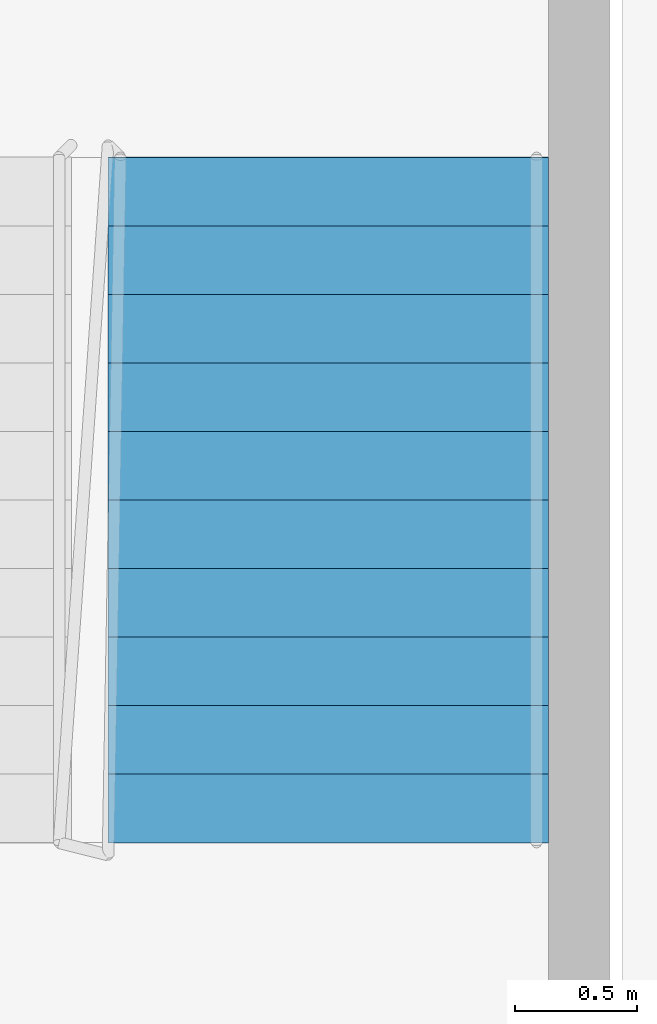
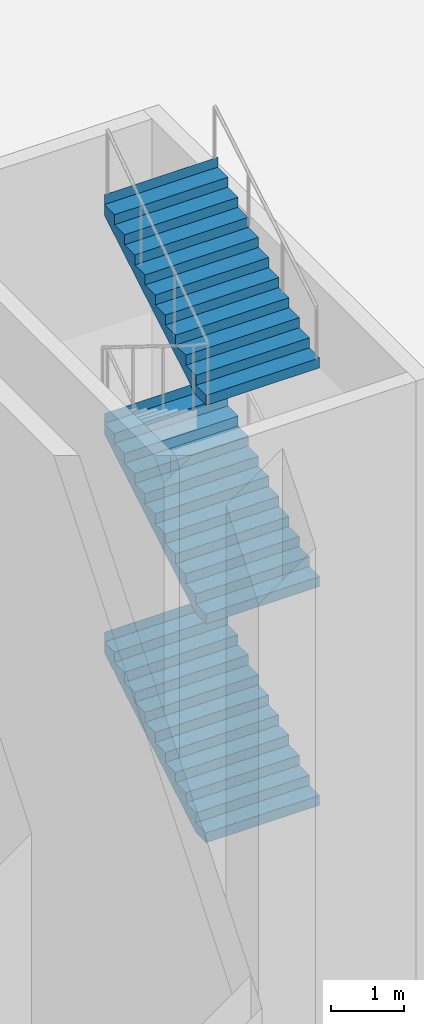
# One storey, part 21 of 26: 3 stair flights, 1 element without a shape of its own.
"""IFC4 building model written with IfcOpenShell, lengths in metres."""

import ifcopenshell
import ifcopenshell.guid

model = None  # the IFC model being written
_history = None  # IfcOwnerHistory: only IFC2X3 demands one
_inside = {}  # id of a spatial element -> (the spatial element, [elements in it])
_under = {}  # id of a project, library or spatial element -> (it, [spatial elements below it])
_declared = {}  # id of a project -> (the project, [libraries it declares])
_typed = {}  # id of a type object -> (the type object, [elements of that type])
_made_of = {}  # id of a material, layer set ... -> (it, [elements and type objects made of it])


def new_model(schema):
    """Start an empty IFC model of exactly this schema.

    Asked for "IFC4X3", IfcOpenShell would pick the latest addendum, in which some entities
    have other attributes; the version numbers below select the first issue.
    IFC2X3 requires an IfcOwnerHistory on every rooted entity: one is made here for all.
    """
    global model, _history
    if schema == "IFC4X3":
        model = ifcopenshell.file(schema_version=(4, 3, 0, 0))
    else:
        model = ifcopenshell.file(schema=schema)
    _inside.clear()
    _under.clear()
    _declared.clear()
    _typed.clear()
    _made_of.clear()
    _history = None
    if model.schema == "IFC2X3":
        org = make("IfcOrganization", Name="unknown")
        user = make(
            "IfcPersonAndOrganization",
            ThePerson=make("IfcPerson", FamilyName="unknown"),
            TheOrganization=org,
        )
        app = make(
            "IfcApplication",
            ApplicationDeveloper=org,
            Version="unknown",
            ApplicationFullName="unknown",
            ApplicationIdentifier="unknown",
        )
        _history = make(
            "IfcOwnerHistory",
            OwningUser=user,
            OwningApplication=app,
            ChangeAction="ADDED",
            CreationDate=0,
        )
    return model


def make(cls, **values):
    """One entity of the class cls with the attributes given. An attribute that is None is left unset."""
    return model.create_entity(
        cls, **{name: value for name, value in values.items() if value is not None}
    )


def rooted(cls, **values):
    """An entity with a GlobalId (a new one), such as an element, a storey or a relation."""
    return make(cls, GlobalId=ifcopenshell.guid.new(), OwnerHistory=_history, **values)


def si_unit(unit_type, name, prefix=None):
    """IfcSIUnit, for example si_unit("LENGTHUNIT", "METRE", prefix="MILLI")."""
    return make("IfcSIUnit", UnitType=unit_type, Prefix=prefix, Name=name)


def assignment(units):
    """IfcUnitAssignment: the units of a project."""
    return None if units is None else make("IfcUnitAssignment", Units=units)


def point(xyz):
    """IfcCartesianPoint."""
    return None if xyz is None else make("IfcCartesianPoint", Coordinates=xyz)


def direction(xyz):
    """IfcDirection."""
    return None if xyz is None else make("IfcDirection", DirectionRatios=xyz)


def frame(location, z_axis=None, x_axis=None):
    """IfcAxis2Placement3D, a coordinate frame: its origin and axes. An axis left out is left unset."""
    return make(
        "IfcAxis2Placement3D",
        Location=point(location),
        Axis=direction(z_axis),
        RefDirection=direction(x_axis),
    )


def origin():
    """The frame at (0, 0, 0) with its axes left unset."""
    return frame((0.0, 0.0, 0.0))


def place(relative_to, where):
    """IfcLocalPlacement: puts the frame where relative to a parent placement (None: the world)."""
    return make(
        "IfcLocalPlacement", PlacementRelTo=relative_to, RelativePlacement=where
    )


def context(
    kind, dimensions, precision=None, world=None, true_north=None, identifier=None
):
    """IfcGeometricRepresentationContext, for example the 3D "Model" context."""
    return make(
        "IfcGeometricRepresentationContext",
        ContextIdentifier=identifier,
        ContextType=kind,
        CoordinateSpaceDimension=dimensions,
        Precision=precision,
        WorldCoordinateSystem=world,
        TrueNorth=true_north,
    )


def subcontext(parent, identifier, kind, view, scale=None):
    """IfcGeometricRepresentationSubContext, for example "Body" below "Model"."""
    return make(
        "IfcGeometricRepresentationSubContext",
        ContextIdentifier=identifier,
        ContextType=kind,
        ParentContext=parent,
        TargetScale=scale,
        TargetView=view,
    )


def project(units=None, contexts=None):
    """IfcProject with its units and contexts."""
    return rooted(
        "IfcProject",
        Name="project",
        RepresentationContexts=contexts,
        UnitsInContext=assignment(units),
    )


def spatial(cls, under=None, at=None, **own):
    """A site, building, storey or space (cls), placed at a placement, below another one or the project."""
    s = rooted(cls, ObjectPlacement=at, **own)
    if under is not None:
        _under.setdefault(under.id(), (under, []))[1].append(s)
    return s


def faces_of(points, faces, orient=None, outer=None):
    """IfcFace entities. A face is a list of loops; a loop is a list of indices into points, from 0.

    orient and outer hold one flag for each loop. By default every Orientation is true, the
    first loop of a face is its IfcFaceOuterBound and the others are IfcFaceBound.
    """
    made = []
    for i, loops in enumerate(faces):
        bounds = []
        for j, loop in enumerate(loops):
            is_outer = j == 0 if outer is None else outer[i][j]
            bounds.append(
                make(
                    "IfcFaceOuterBound" if is_outer else "IfcFaceBound",
                    Bound=make("IfcPolyLoop", Polygon=[points[k] for k in loop]),
                    Orientation=True if orient is None else orient[i][j],
                )
            )
        made.append(make("IfcFace", Bounds=bounds))
    return made


def faceted_brep(points, faces, orient=None, outer=None, voids=None):
    """IfcFacetedBrep: a solid bounded by flat faces; with voids (closed shells), ...WithVoids."""
    shared = [point(p) for p in points]
    hull = make("IfcClosedShell", CfsFaces=faces_of(shared, faces, orient, outer))
    if voids is None:
        return make("IfcFacetedBrep", Outer=hull)
    return make(
        "IfcFacetedBrepWithVoids",
        Outer=hull,
        Voids=[
            make(cls, CfsFaces=faces_of(shared, fs, o, b)) for cls, fs, o, b in voids
        ],
    )


def shape(context_of_items, identifier, shape_type, items):
    """IfcShapeRepresentation: the items that make up one representation, for example the "Body"."""
    return make(
        "IfcShapeRepresentation",
        ContextOfItems=context_of_items,
        RepresentationIdentifier=identifier,
        RepresentationType=shape_type,
        Items=items,
    )


def material(Name=None, Category=None):
    """IfcMaterial."""
    return make("IfcMaterial", Name=Name, Category=Category)


def made_of(thing, what):
    """Note that an element or type object is made of a material, layer set ...; save() writes the relation."""
    if what is not None:
        _made_of.setdefault(what.id(), (what, []))[1].append(thing)
    return thing


def type_object(cls, material=None, **own):
    """A type object (cls), such as IfcWallType, which elements share."""
    return made_of(rooted(cls, **own), material)


def element(
    cls,
    number,
    at=None,
    inside=None,
    cuts=None,
    type_object=None,
    material=None,
    context=None,
    identifier="Body",
    shape_type=None,
    held_by="IfcProductDefinitionShape",
    body=None,
    shapes=None,
    **own,
):
    """One element of the class cls, such as IfcWall. Its Tag is "e" and its number.

    at: its placement. inside: the storey or other place that contains it. cuts: it is an
    opening in that element (IfcRelVoidsElement). A single representation is given by context,
    identifier, shape_type and body (its items); several are given by shapes. held_by: the class
    of the entity that holds the representations. save() writes the other relations.
    """
    e = rooted(cls, Tag="e%d" % number, ObjectPlacement=at, **own)
    if body is not None:
        shapes = [shape(context, identifier, shape_type, body)]
    if shapes is not None:
        e.Representation = make(held_by, Representations=shapes)
    if inside is not None:
        _inside.setdefault(inside.id(), (inside, []))[1].append(e)
    if cuts is not None:
        rooted(
            "IfcRelVoidsElement", RelatingBuildingElement=cuts, RelatedOpeningElement=e
        )
    if type_object is not None:
        _typed.setdefault(type_object.id(), (type_object, []))[1].append(e)
    return made_of(e, material)


def aggregate(whole, parts):
    """IfcRelAggregates: a whole, such as a stair, and the parts it consists of."""
    return rooted("IfcRelAggregates", RelatingObject=whole, RelatedObjects=parts)


def save(model, path):
    """Write the relations noted so far, then the file.

    IfcRelAggregates (storeys below a building ...), IfcRelContainedInSpatialStructure (elements
    in a storey), IfcRelDefinesByType, IfcRelAssociatesMaterial and IfcRelDeclares: one each for
    every whole, place, type object, material and project.
    """
    for whole, parts in _under.values():
        aggregate(whole, parts)
    for where, things in _inside.values():
        rooted(
            "IfcRelContainedInSpatialStructure",
            RelatedElements=things,
            RelatingStructure=where,
        )
    for kind, things in _typed.values():
        rooted("IfcRelDefinesByType", RelatedObjects=things, RelatingType=kind)
    for what, things in _made_of.values():
        rooted("IfcRelAssociatesMaterial", RelatedObjects=things, RelatingMaterial=what)
    for by, libraries in _declared.values():
        rooted("IfcRelDeclares", RelatingContext=by, RelatedDefinitions=libraries)
    model.write(path)


model = new_model("IFC4")

# Units and contexts
model_context = context("Model", 3, precision=1e-05, world=origin(), true_north=direction((0.0, 1.0)))
body_context = subcontext(model_context, "Body", "Model", "MODEL_VIEW")
ifc_project = project(units=[si_unit("LENGTHUNIT", "METRE"), si_unit("AREAUNIT", "SQUARE_METRE"), si_unit("VOLUMEUNIT", "CUBIC_METRE"), si_unit("PLANEANGLEUNIT", "RADIAN"), si_unit("MASSUNIT", "GRAM", prefix="KILO")], contexts=[model_context])

# Site, building, storey
site_placement = place(None, origin())
site = spatial("IfcSite", under=ifc_project, at=site_placement, CompositionType="ELEMENT")
building_placement = place(site_placement, origin())
building = spatial("IfcBuilding", under=site, at=building_placement, Name="Kajstack Hotel Tower", CompositionType="ELEMENT")
storey_placement = place(building_placement, origin())
storey = spatial("IfcBuildingStorey", under=building, at=storey_placement, Name="L00", CompositionType="ELEMENT", Elevation=0.0)

# Stair, stair flights
ifc_material = material(Name="Concrete C40/50", Category="concrete")
stair_type = type_object("IfcStairType", Name="Escape stair 1800", PredefinedType="HALF_TURN_STAIR", material=ifc_material)
stair_placement = place(storey_placement, origin())
stair = element("IfcStair", 1, at=stair_placement, inside=storey, type_object=stair_type, Name="L00 stair P2", PredefinedType="HALF_TURN_STAIR")
stair_flight_type = type_object("IfcStairFlightType", Name="Escape stair flight 1800", PredefinedType="STRAIGHT", material=ifc_material)
stair_flight_1_placement = place(storey_placement, frame((42.5, -6.60009765625, 1.833251953125), z_axis=(0.0, 0.0, 1.0), x_axis=(0.0, 1.0, 0.0)))
stair_flight_1 = element("IfcStairFlight", 2, at=stair_flight_1_placement, type_object=stair_flight_type, Name="P2 flight 2", NumberOfRisers=11, NumberOfTreads=10, PredefinedType="STRAIGHT", RiserHeight=0.166666667, TreadLength=0.28, context=body_context, shape_type="Brep", body=[
    faceted_brep([(0.29345703125, -0.89990234375, 0.0), (2.800537109375, -0.89990234375, 1.4921875), (2.800537109375, -0.89990234375, 1.833251953125), (2.800048828125, -0.89990234375, 1.833251953125), (2.800048828125, -0.89990234375, 1.666748046875), (2.52001953125, -0.89990234375, 1.666748046875), (2.52001953125, -0.89990234375, 1.5), (2.239990234375, -0.89990234375, 1.5), (2.239990234375, -0.89990234375, 1.333251953125), (1.9599609375, -0.89990234375, 1.333251953125), (1.9599609375, -0.89990234375, 1.166748046875), (1.679931640625, -0.89990234375, 1.166748046875), (1.679931640625, -0.89990234375, 1.0), (1.39990234375, -0.89990234375, 1.0), (1.39990234375, -0.89990234375, 0.833251953125), (1.1201171875, -0.89990234375, 0.833251953125), (1.1201171875, -0.89990234375, 0.666748046875), (0.840087890625, -0.89990234375, 0.666748046875), (0.840087890625, -0.89990234375, 0.5), (0.56005859375, -0.89990234375, 0.5), (0.56005859375, -0.89990234375, 0.333251953125), (0.280029296875, -0.89990234375, 0.333251953125), (0.280029296875, -0.89990234375, 0.166748046875), (-0.00048828125, -0.89990234375, 0.166748046875), (-0.00048828125, -0.89990234375, 0.0), (-0.00048828125, 0.89990234375, 0.0), (-0.00048828125, 0.89990234375, 0.166748046875), (0.280029296875, 0.89990234375, 0.166748046875), (0.280029296875, 0.89990234375, 0.333251953125), (0.56005859375, 0.89990234375, 0.333251953125), (0.56005859375, 0.89990234375, 0.5), (0.840087890625, 0.89990234375, 0.5), (0.840087890625, 0.89990234375, 0.666748046875), (1.1201171875, 0.89990234375, 0.666748046875), (1.1201171875, 0.89990234375, 0.833251953125), (1.39990234375, 0.89990234375, 0.833251953125), (1.39990234375, 0.89990234375, 1.0), (1.679931640625, 0.89990234375, 1.0), (1.679931640625, 0.89990234375, 1.166748046875), (1.9599609375, 0.89990234375, 1.166748046875), (1.9599609375, 0.89990234375, 1.333251953125), (2.239990234375, 0.89990234375, 1.333251953125), (2.239990234375, 0.89990234375, 1.5), (2.52001953125, 0.89990234375, 1.5), (2.52001953125, 0.89990234375, 1.666748046875), (2.800048828125, 0.89990234375, 1.666748046875), (2.800048828125, 0.89990234375, 1.833251953125), (2.800537109375, 0.89990234375, 1.833251953125), (2.800537109375, 0.89990234375, 1.4921875), (0.29345703125, 0.89990234375, 0.0), (-0.00048828125, -0.449951171875, 0.166748046875), (-0.00048828125, 0.0, 0.166748046875), (-0.00048828125, 0.449951171875, 0.166748046875), (-0.00048828125, 0.449951171875, 0.0), (-0.00048828125, 0.0, 0.0), (-0.00048828125, -0.449951171875, 0.0), (0.280029296875, -0.449951171875, 0.166748046875), (0.280029296875, 0.0, 0.166748046875), (0.280029296875, 0.449951171875, 0.166748046875), (0.280029296875, -0.449951171875, 0.333251953125), (0.280029296875, 0.0, 0.333251953125), (0.280029296875, 0.449951171875, 0.333251953125), (0.56005859375, -0.449951171875, 0.333251953125), (0.56005859375, 0.0, 0.333251953125), (0.56005859375, 0.449951171875, 0.333251953125), (0.56005859375, -0.449951171875, 0.5), (0.56005859375, 0.0, 0.5), (0.56005859375, 0.449951171875, 0.5), (0.840087890625, -0.449951171875, 0.5), (0.840087890625, 0.0, 0.5), (0.840087890625, 0.449951171875, 0.5), (0.840087890625, -0.449951171875, 0.666748046875), (0.840087890625, 0.0, 0.666748046875), (0.840087890625, 0.449951171875, 0.666748046875), (1.1201171875, -0.449951171875, 0.666748046875), (1.1201171875, 0.0, 0.666748046875), (1.1201171875, 0.449951171875, 0.666748046875), (1.1201171875, -0.449951171875, 0.833251953125), (1.1201171875, 0.0, 0.833251953125), (1.1201171875, 0.449951171875, 0.833251953125), (1.39990234375, -0.449951171875, 0.833251953125), (1.39990234375, 0.0, 0.833251953125), (1.39990234375, 0.449951171875, 0.833251953125), (1.39990234375, -0.449951171875, 1.0), (1.39990234375, 0.0, 1.0), (1.39990234375, 0.449951171875, 1.0), (1.679931640625, -0.449951171875, 1.0), (1.679931640625, 0.0, 1.0), (1.679931640625, 0.449951171875, 1.0), (1.679931640625, -0.449951171875, 1.166748046875), (1.679931640625, 0.0, 1.166748046875), (1.679931640625, 0.449951171875, 1.166748046875), (1.9599609375, -0.449951171875, 1.166748046875), (1.9599609375, 0.0, 1.166748046875), (1.9599609375, 0.449951171875, 1.166748046875), (1.9599609375, -0.449951171875, 1.333251953125), (1.9599609375, 0.0, 1.333251953125), (1.9599609375, 0.449951171875, 1.333251953125), (2.239990234375, -0.449951171875, 1.333251953125), (2.239990234375, 0.0, 1.333251953125), (2.239990234375, 0.449951171875, 1.333251953125), (2.239990234375, -0.449951171875, 1.5), (2.239990234375, 0.0, 1.5), (2.239990234375, 0.449951171875, 1.5), (2.52001953125, -0.449951171875, 1.5), (2.52001953125, 0.0, 1.5), (2.52001953125, 0.449951171875, 1.5), (2.52001953125, -0.449951171875, 1.666748046875), (2.52001953125, 0.0, 1.666748046875), (2.52001953125, 0.449951171875, 1.666748046875), (2.800048828125, -0.449951171875, 1.666748046875), (2.800048828125, 0.0, 1.666748046875), (2.800048828125, 0.449951171875, 1.666748046875), (2.800048828125, -0.449951171875, 1.833251953125), (2.800048828125, 0.0, 1.833251953125), (2.800048828125, 0.449951171875, 1.833251953125), (2.800537109375, -0.449951171875, 1.833251953125), (2.800537109375, 0.0, 1.833251953125), (2.800537109375, 0.449951171875, 1.833251953125), (2.800537109375, -0.449951171875, 1.4921875), (2.800537109375, 0.0, 1.4921875), (2.800537109375, 0.449951171875, 1.4921875), (0.29345703125, -0.449951171875, 0.0), (0.29345703125, 0.0, 0.0), (0.29345703125, 0.449951171875, 0.0)], [[[0, 1, 2, 3, 4, 5, 6, 7, 8, 9, 10, 11, 12, 13, 14, 15, 16, 17, 18, 19, 20, 21, 22, 23, 24]], [[25, 26, 27, 28, 29, 30, 31, 32, 33, 34, 35, 36, 37, 38, 39, 40, 41, 42, 43, 44, 45, 46, 47, 48, 49]], [[23, 50, 51, 52, 26, 25, 53, 54, 55, 24]], [[22, 56, 57, 58, 27, 26, 52, 51, 50, 23]], [[21, 59, 60, 61, 28, 27, 58, 57, 56, 22]], [[20, 62, 63, 64, 29, 28, 61, 60, 59, 21]], [[19, 65, 66, 67, 30, 29, 64, 63, 62, 20]], [[18, 68, 69, 70, 31, 30, 67, 66, 65, 19]], [[17, 71, 72, 73, 32, 31, 70, 69, 68, 18]], [[16, 74, 75, 76, 33, 32, 73, 72, 71, 17]], [[15, 77, 78, 79, 34, 33, 76, 75, 74, 16]], [[14, 80, 81, 82, 35, 34, 79, 78, 77, 15]], [[13, 83, 84, 85, 36, 35, 82, 81, 80, 14]], [[12, 86, 87, 88, 37, 36, 85, 84, 83, 13]], [[11, 89, 90, 91, 38, 37, 88, 87, 86, 12]], [[10, 92, 93, 94, 39, 38, 91, 90, 89, 11]], [[9, 95, 96, 97, 40, 39, 94, 93, 92, 10]], [[8, 98, 99, 100, 41, 40, 97, 96, 95, 9]], [[7, 101, 102, 103, 42, 41, 100, 99, 98, 8]], [[6, 104, 105, 106, 43, 42, 103, 102, 101, 7]], [[5, 107, 108, 109, 44, 43, 106, 105, 104, 6]], [[4, 110, 111, 112, 45, 44, 109, 108, 107, 5]], [[3, 113, 114, 115, 46, 45, 112, 111, 110, 4]], [[2, 116, 117, 118, 47, 46, 115, 114, 113, 3]], [[1, 119, 120, 121, 48, 47, 118, 117, 116, 2]], [[0, 122, 123, 124, 49, 48, 121, 120, 119, 1]], [[24, 55, 54, 53, 25, 49, 124, 123, 122, 0]]]),
])
stair_flight_2_placement = place(storey_placement, frame((42.5, -6.60009765625, 5.5), z_axis=(0.0, 0.0, 1.0), x_axis=(0.0, 1.0, 0.0)))
stair_flight_2 = element("IfcStairFlight", 3, at=stair_flight_2_placement, type_object=stair_flight_type, Name="P2 flight 4", NumberOfRisers=11, NumberOfTreads=10, PredefinedType="STRAIGHT", RiserHeight=0.166666667, TreadLength=0.28, context=body_context, shape_type="Brep", body=[
    faceted_brep([(0.29345703125, -0.89990234375, 0.0), (2.800537109375, -0.89990234375, 1.4921875), (2.800537109375, -0.89990234375, 1.833251953125), (2.800048828125, -0.89990234375, 1.833251953125), (2.800048828125, -0.89990234375, 1.666748046875), (2.52001953125, -0.89990234375, 1.666748046875), (2.52001953125, -0.89990234375, 1.5), (2.239990234375, -0.89990234375, 1.5), (2.239990234375, -0.89990234375, 1.333251953125), (1.9599609375, -0.89990234375, 1.333251953125), (1.9599609375, -0.89990234375, 1.166748046875), (1.679931640625, -0.89990234375, 1.166748046875), (1.679931640625, -0.89990234375, 1.0), (1.39990234375, -0.89990234375, 1.0), (1.39990234375, -0.89990234375, 0.833251953125), (1.1201171875, -0.89990234375, 0.833251953125), (1.1201171875, -0.89990234375, 0.666748046875), (0.840087890625, -0.89990234375, 0.666748046875), (0.840087890625, -0.89990234375, 0.5), (0.56005859375, -0.89990234375, 0.5), (0.56005859375, -0.89990234375, 0.333251953125), (0.280029296875, -0.89990234375, 0.333251953125), (0.280029296875, -0.89990234375, 0.166748046875), (-0.00048828125, -0.89990234375, 0.166748046875), (-0.00048828125, -0.89990234375, 0.0), (-0.00048828125, 0.89990234375, 0.0), (-0.00048828125, 0.89990234375, 0.166748046875), (0.280029296875, 0.89990234375, 0.166748046875), (0.280029296875, 0.89990234375, 0.333251953125), (0.56005859375, 0.89990234375, 0.333251953125), (0.56005859375, 0.89990234375, 0.5), (0.840087890625, 0.89990234375, 0.5), (0.840087890625, 0.89990234375, 0.666748046875), (1.1201171875, 0.89990234375, 0.666748046875), (1.1201171875, 0.89990234375, 0.833251953125), (1.39990234375, 0.89990234375, 0.833251953125), (1.39990234375, 0.89990234375, 1.0), (1.679931640625, 0.89990234375, 1.0), (1.679931640625, 0.89990234375, 1.166748046875), (1.9599609375, 0.89990234375, 1.166748046875), (1.9599609375, 0.89990234375, 1.333251953125), (2.239990234375, 0.89990234375, 1.333251953125), (2.239990234375, 0.89990234375, 1.5), (2.52001953125, 0.89990234375, 1.5), (2.52001953125, 0.89990234375, 1.666748046875), (2.800048828125, 0.89990234375, 1.666748046875), (2.800048828125, 0.89990234375, 1.833251953125), (2.800537109375, 0.89990234375, 1.833251953125), (2.800537109375, 0.89990234375, 1.4921875), (0.29345703125, 0.89990234375, 0.0), (-0.00048828125, -0.449951171875, 0.166748046875), (-0.00048828125, 0.0, 0.166748046875), (-0.00048828125, 0.449951171875, 0.166748046875), (-0.00048828125, 0.449951171875, 0.0), (-0.00048828125, 0.0, 0.0), (-0.00048828125, -0.449951171875, 0.0), (0.280029296875, -0.449951171875, 0.166748046875), (0.280029296875, 0.0, 0.166748046875), (0.280029296875, 0.449951171875, 0.166748046875), (0.280029296875, -0.449951171875, 0.333251953125), (0.280029296875, 0.0, 0.333251953125), (0.280029296875, 0.449951171875, 0.333251953125), (0.56005859375, -0.449951171875, 0.333251953125), (0.56005859375, 0.0, 0.333251953125), (0.56005859375, 0.449951171875, 0.333251953125), (0.56005859375, -0.449951171875, 0.5), (0.56005859375, 0.0, 0.5), (0.56005859375, 0.449951171875, 0.5), (0.840087890625, -0.449951171875, 0.5), (0.840087890625, 0.0, 0.5), (0.840087890625, 0.449951171875, 0.5), (0.840087890625, -0.449951171875, 0.666748046875), (0.840087890625, 0.0, 0.666748046875), (0.840087890625, 0.449951171875, 0.666748046875), (1.1201171875, -0.449951171875, 0.666748046875), (1.1201171875, 0.0, 0.666748046875), (1.1201171875, 0.449951171875, 0.666748046875), (1.1201171875, -0.449951171875, 0.833251953125), (1.1201171875, 0.0, 0.833251953125), (1.1201171875, 0.449951171875, 0.833251953125), (1.39990234375, -0.449951171875, 0.833251953125), (1.39990234375, 0.0, 0.833251953125), (1.39990234375, 0.449951171875, 0.833251953125), (1.39990234375, -0.449951171875, 1.0), (1.39990234375, 0.0, 1.0), (1.39990234375, 0.449951171875, 1.0), (1.679931640625, -0.449951171875, 1.0), (1.679931640625, 0.0, 1.0), (1.679931640625, 0.449951171875, 1.0), (1.679931640625, -0.449951171875, 1.166748046875), (1.679931640625, 0.0, 1.166748046875), (1.679931640625, 0.449951171875, 1.166748046875), (1.9599609375, -0.449951171875, 1.166748046875), (1.9599609375, 0.0, 1.166748046875), (1.9599609375, 0.449951171875, 1.166748046875), (1.9599609375, -0.449951171875, 1.333251953125), (1.9599609375, 0.0, 1.333251953125), (1.9599609375, 0.449951171875, 1.333251953125), (2.239990234375, -0.449951171875, 1.333251953125), (2.239990234375, 0.0, 1.333251953125), (2.239990234375, 0.449951171875, 1.333251953125), (2.239990234375, -0.449951171875, 1.5), (2.239990234375, 0.0, 1.5), (2.239990234375, 0.449951171875, 1.5), (2.52001953125, -0.449951171875, 1.5), (2.52001953125, 0.0, 1.5), (2.52001953125, 0.449951171875, 1.5), (2.52001953125, -0.449951171875, 1.666748046875), (2.52001953125, 0.0, 1.666748046875), (2.52001953125, 0.449951171875, 1.666748046875), (2.800048828125, -0.449951171875, 1.666748046875), (2.800048828125, 0.0, 1.666748046875), (2.800048828125, 0.449951171875, 1.666748046875), (2.800048828125, -0.449951171875, 1.833251953125), (2.800048828125, 0.0, 1.833251953125), (2.800048828125, 0.449951171875, 1.833251953125), (2.800537109375, -0.449951171875, 1.833251953125), (2.800537109375, 0.0, 1.833251953125), (2.800537109375, 0.449951171875, 1.833251953125), (2.800537109375, -0.449951171875, 1.4921875), (2.800537109375, 0.0, 1.4921875), (2.800537109375, 0.449951171875, 1.4921875), (0.29345703125, -0.449951171875, 0.0), (0.29345703125, 0.0, 0.0), (0.29345703125, 0.449951171875, 0.0)], [[[0, 1, 2, 3, 4, 5, 6, 7, 8, 9, 10, 11, 12, 13, 14, 15, 16, 17, 18, 19, 20, 21, 22, 23, 24]], [[25, 26, 27, 28, 29, 30, 31, 32, 33, 34, 35, 36, 37, 38, 39, 40, 41, 42, 43, 44, 45, 46, 47, 48, 49]], [[23, 50, 51, 52, 26, 25, 53, 54, 55, 24]], [[22, 56, 57, 58, 27, 26, 52, 51, 50, 23]], [[21, 59, 60, 61, 28, 27, 58, 57, 56, 22]], [[20, 62, 63, 64, 29, 28, 61, 60, 59, 21]], [[19, 65, 66, 67, 30, 29, 64, 63, 62, 20]], [[18, 68, 69, 70, 31, 30, 67, 66, 65, 19]], [[17, 71, 72, 73, 32, 31, 70, 69, 68, 18]], [[16, 74, 75, 76, 33, 32, 73, 72, 71, 17]], [[15, 77, 78, 79, 34, 33, 76, 75, 74, 16]], [[14, 80, 81, 82, 35, 34, 79, 78, 77, 15]], [[13, 83, 84, 85, 36, 35, 82, 81, 80, 14]], [[12, 86, 87, 88, 37, 36, 85, 84, 83, 13]], [[11, 89, 90, 91, 38, 37, 88, 87, 86, 12]], [[10, 92, 93, 94, 39, 38, 91, 90, 89, 11]], [[9, 95, 96, 97, 40, 39, 94, 93, 92, 10]], [[8, 98, 99, 100, 41, 40, 97, 96, 95, 9]], [[7, 101, 102, 103, 42, 41, 100, 99, 98, 8]], [[6, 104, 105, 106, 43, 42, 103, 102, 101, 7]], [[5, 107, 108, 109, 44, 43, 106, 105, 104, 6]], [[4, 110, 111, 112, 45, 44, 109, 108, 107, 5]], [[3, 113, 114, 115, 46, 45, 112, 111, 110, 4]], [[2, 116, 117, 118, 47, 46, 115, 114, 113, 3]], [[1, 119, 120, 121, 48, 47, 118, 117, 116, 2]], [[0, 122, 123, 124, 49, 48, 121, 120, 119, 1]], [[24, 55, 54, 53, 25, 49, 124, 123, 122, 0]]]),
])
stair_flight_3_placement = place(storey_placement, frame((42.5, -6.60009765625, 9.166748046875), z_axis=(0.0, 0.0, 1.0), x_axis=(0.0, 1.0, 0.0)))
stair_flight_3 = element("IfcStairFlight", 4, at=stair_flight_3_placement, type_object=stair_flight_type, Name="P2 flight 6", NumberOfRisers=11, NumberOfTreads=10, PredefinedType="STRAIGHT", RiserHeight=0.166666667, TreadLength=0.28, context=body_context, shape_type="Brep", body=[
    faceted_brep([(0.29345703125, -0.89990234375, 0.0), (2.800537109375, -0.89990234375, 1.4921875), (2.800537109375, -0.89990234375, 1.833251953125), (2.800048828125, -0.89990234375, 1.833251953125), (2.800048828125, -0.89990234375, 1.666748046875), (2.52001953125, -0.89990234375, 1.666748046875), (2.52001953125, -0.89990234375, 1.5), (2.239990234375, -0.89990234375, 1.5), (2.239990234375, -0.89990234375, 1.333251953125), (1.9599609375, -0.89990234375, 1.333251953125), (1.9599609375, -0.89990234375, 1.166748046875), (1.679931640625, -0.89990234375, 1.166748046875), (1.679931640625, -0.89990234375, 1.0), (1.39990234375, -0.89990234375, 1.0), (1.39990234375, -0.89990234375, 0.833251953125), (1.1201171875, -0.89990234375, 0.833251953125), (1.1201171875, -0.89990234375, 0.666748046875), (0.840087890625, -0.89990234375, 0.666748046875), (0.840087890625, -0.89990234375, 0.5), (0.56005859375, -0.89990234375, 0.5), (0.56005859375, -0.89990234375, 0.333251953125), (0.280029296875, -0.89990234375, 0.333251953125), (0.280029296875, -0.89990234375, 0.166748046875), (-0.00048828125, -0.89990234375, 0.166748046875), (-0.00048828125, -0.89990234375, 0.0), (-0.00048828125, 0.89990234375, 0.0), (-0.00048828125, 0.89990234375, 0.166748046875), (0.280029296875, 0.89990234375, 0.166748046875), (0.280029296875, 0.89990234375, 0.333251953125), (0.56005859375, 0.89990234375, 0.333251953125), (0.56005859375, 0.89990234375, 0.5), (0.840087890625, 0.89990234375, 0.5), (0.840087890625, 0.89990234375, 0.666748046875), (1.1201171875, 0.89990234375, 0.666748046875), (1.1201171875, 0.89990234375, 0.833251953125), (1.39990234375, 0.89990234375, 0.833251953125), (1.39990234375, 0.89990234375, 1.0), (1.679931640625, 0.89990234375, 1.0), (1.679931640625, 0.89990234375, 1.166748046875), (1.9599609375, 0.89990234375, 1.166748046875), (1.9599609375, 0.89990234375, 1.333251953125), (2.239990234375, 0.89990234375, 1.333251953125), (2.239990234375, 0.89990234375, 1.5), (2.52001953125, 0.89990234375, 1.5), (2.52001953125, 0.89990234375, 1.666748046875), (2.800048828125, 0.89990234375, 1.666748046875), (2.800048828125, 0.89990234375, 1.833251953125), (2.800537109375, 0.89990234375, 1.833251953125), (2.800537109375, 0.89990234375, 1.4921875), (0.29345703125, 0.89990234375, 0.0), (-0.00048828125, -0.449951171875, 0.166748046875), (-0.00048828125, 0.0, 0.166748046875), (-0.00048828125, 0.449951171875, 0.166748046875), (-0.00048828125, 0.449951171875, 0.0), (-0.00048828125, 0.0, 0.0), (-0.00048828125, -0.449951171875, 0.0), (0.280029296875, -0.449951171875, 0.166748046875), (0.280029296875, 0.0, 0.166748046875), (0.280029296875, 0.449951171875, 0.166748046875), (0.280029296875, -0.449951171875, 0.333251953125), (0.280029296875, 0.0, 0.333251953125), (0.280029296875, 0.449951171875, 0.333251953125), (0.56005859375, -0.449951171875, 0.333251953125), (0.56005859375, 0.0, 0.333251953125), (0.56005859375, 0.449951171875, 0.333251953125), (0.56005859375, -0.449951171875, 0.5), (0.56005859375, 0.0, 0.5), (0.56005859375, 0.449951171875, 0.5), (0.840087890625, -0.449951171875, 0.5), (0.840087890625, 0.0, 0.5), (0.840087890625, 0.449951171875, 0.5), (0.840087890625, -0.449951171875, 0.666748046875), (0.840087890625, 0.0, 0.666748046875), (0.840087890625, 0.449951171875, 0.666748046875), (1.1201171875, -0.449951171875, 0.666748046875), (1.1201171875, 0.0, 0.666748046875), (1.1201171875, 0.449951171875, 0.666748046875), (1.1201171875, -0.449951171875, 0.833251953125), (1.1201171875, 0.0, 0.833251953125), (1.1201171875, 0.449951171875, 0.833251953125), (1.39990234375, -0.449951171875, 0.833251953125), (1.39990234375, 0.0, 0.833251953125), (1.39990234375, 0.449951171875, 0.833251953125), (1.39990234375, -0.449951171875, 1.0), (1.39990234375, 0.0, 1.0), (1.39990234375, 0.449951171875, 1.0), (1.679931640625, -0.449951171875, 1.0), (1.679931640625, 0.0, 1.0), (1.679931640625, 0.449951171875, 1.0), (1.679931640625, -0.449951171875, 1.166748046875), (1.679931640625, 0.0, 1.166748046875), (1.679931640625, 0.449951171875, 1.166748046875), (1.9599609375, -0.449951171875, 1.166748046875), (1.9599609375, 0.0, 1.166748046875), (1.9599609375, 0.449951171875, 1.166748046875), (1.9599609375, -0.449951171875, 1.333251953125), (1.9599609375, 0.0, 1.333251953125), (1.9599609375, 0.449951171875, 1.333251953125), (2.239990234375, -0.449951171875, 1.333251953125), (2.239990234375, 0.0, 1.333251953125), (2.239990234375, 0.449951171875, 1.333251953125), (2.239990234375, -0.449951171875, 1.5), (2.239990234375, 0.0, 1.5), (2.239990234375, 0.449951171875, 1.5), (2.52001953125, -0.449951171875, 1.5), (2.52001953125, 0.0, 1.5), (2.52001953125, 0.449951171875, 1.5), (2.52001953125, -0.449951171875, 1.666748046875), (2.52001953125, 0.0, 1.666748046875), (2.52001953125, 0.449951171875, 1.666748046875), (2.800048828125, -0.449951171875, 1.666748046875), (2.800048828125, 0.0, 1.666748046875), (2.800048828125, 0.449951171875, 1.666748046875), (2.800048828125, -0.449951171875, 1.833251953125), (2.800048828125, 0.0, 1.833251953125), (2.800048828125, 0.449951171875, 1.833251953125), (2.800537109375, -0.449951171875, 1.833251953125), (2.800537109375, 0.0, 1.833251953125), (2.800537109375, 0.449951171875, 1.833251953125), (2.800537109375, -0.449951171875, 1.4921875), (2.800537109375, 0.0, 1.4921875), (2.800537109375, 0.449951171875, 1.4921875), (0.29345703125, -0.449951171875, 0.0), (0.29345703125, 0.0, 0.0), (0.29345703125, 0.449951171875, 0.0)], [[[0, 1, 2, 3, 4, 5, 6, 7, 8, 9, 10, 11, 12, 13, 14, 15, 16, 17, 18, 19, 20, 21, 22, 23, 24]], [[25, 26, 27, 28, 29, 30, 31, 32, 33, 34, 35, 36, 37, 38, 39, 40, 41, 42, 43, 44, 45, 46, 47, 48, 49]], [[23, 50, 51, 52, 26, 25, 53, 54, 55, 24]], [[22, 56, 57, 58, 27, 26, 52, 51, 50, 23]], [[21, 59, 60, 61, 28, 27, 58, 57, 56, 22]], [[20, 62, 63, 64, 29, 28, 61, 60, 59, 21]], [[19, 65, 66, 67, 30, 29, 64, 63, 62, 20]], [[18, 68, 69, 70, 31, 30, 67, 66, 65, 19]], [[17, 71, 72, 73, 32, 31, 70, 69, 68, 18]], [[16, 74, 75, 76, 33, 32, 73, 72, 71, 17]], [[15, 77, 78, 79, 34, 33, 76, 75, 74, 16]], [[14, 80, 81, 82, 35, 34, 79, 78, 77, 15]], [[13, 83, 84, 85, 36, 35, 82, 81, 80, 14]], [[12, 86, 87, 88, 37, 36, 85, 84, 83, 13]], [[11, 89, 90, 91, 38, 37, 88, 87, 86, 12]], [[10, 92, 93, 94, 39, 38, 91, 90, 89, 11]], [[9, 95, 96, 97, 40, 39, 94, 93, 92, 10]], [[8, 98, 99, 100, 41, 40, 97, 96, 95, 9]], [[7, 101, 102, 103, 42, 41, 100, 99, 98, 8]], [[6, 104, 105, 106, 43, 42, 103, 102, 101, 7]], [[5, 107, 108, 109, 44, 43, 106, 105, 104, 6]], [[4, 110, 111, 112, 45, 44, 109, 108, 107, 5]], [[3, 113, 114, 115, 46, 45, 112, 111, 110, 4]], [[2, 116, 117, 118, 47, 46, 115, 114, 113, 3]], [[1, 119, 120, 121, 48, 47, 118, 117, 116, 2]], [[0, 122, 123, 124, 49, 48, 121, 120, 119, 1]], [[24, 55, 54, 53, 25, 49, 124, 123, 122, 0]]]),
])
aggregate(stair, [stair_flight_1, stair_flight_2, stair_flight_3])

save(model, "model.ifc")
